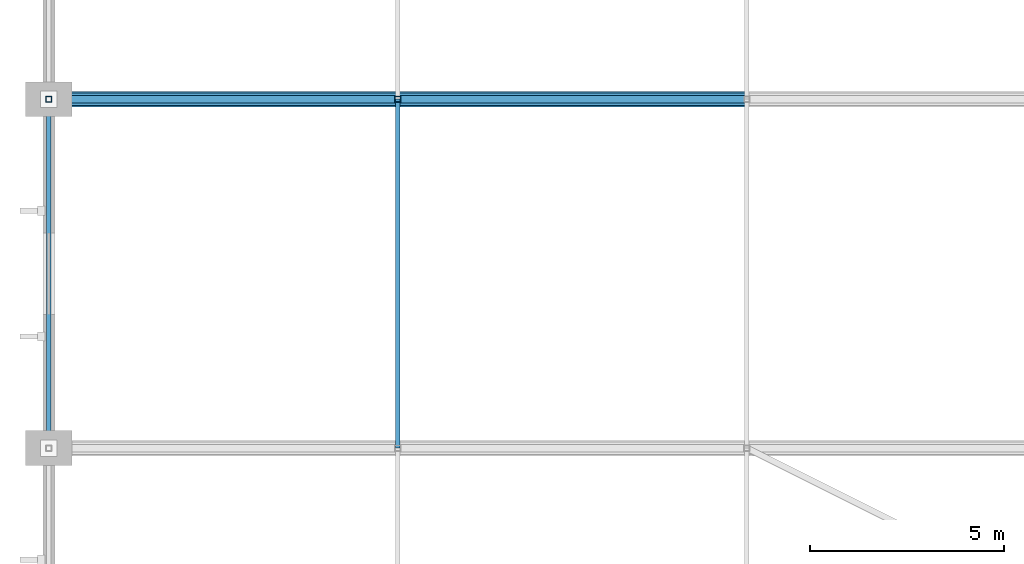
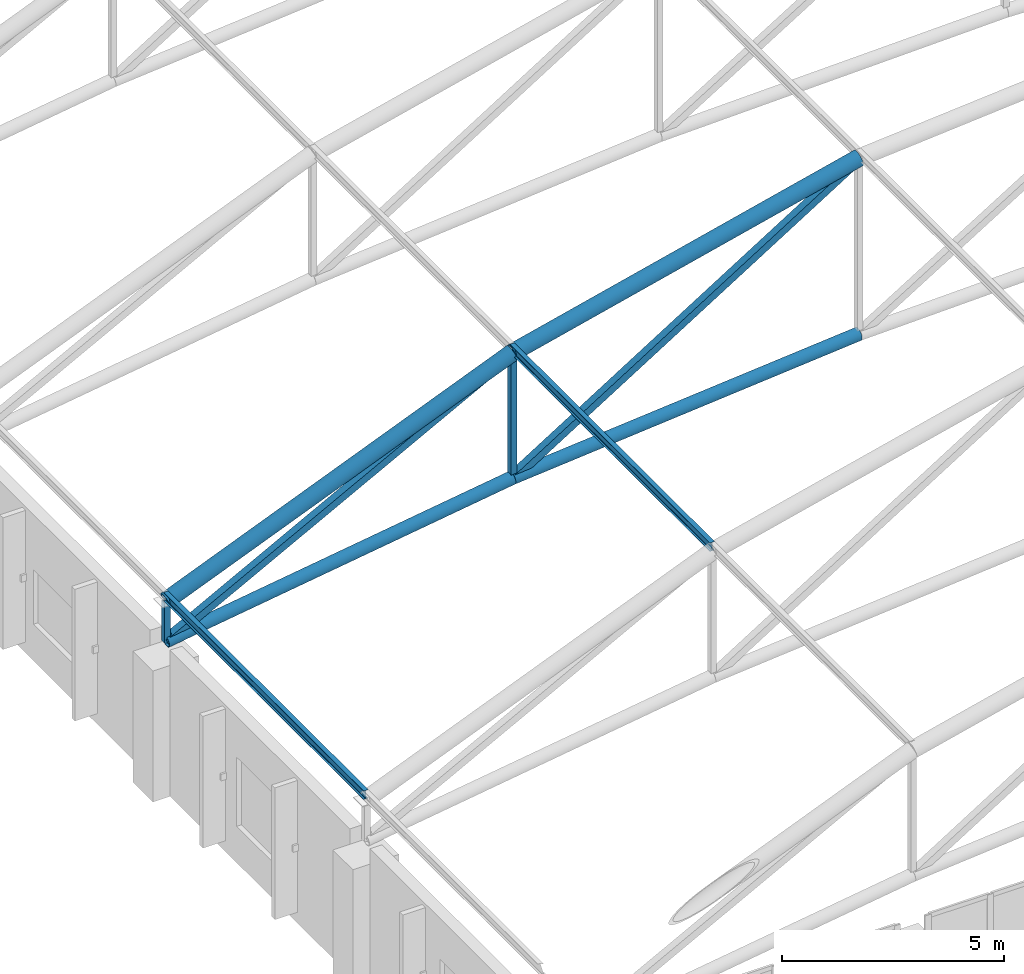
# One storey, part 10 of 167: 10 members.
"""IFC4 building model written with IfcOpenShell, lengths in metres."""

import ifcopenshell
import ifcopenshell.guid

model = None  # the IFC model being written
_history = None  # IfcOwnerHistory: only IFC2X3 demands one
_inside = {}  # id of a spatial element -> (the spatial element, [elements in it])
_under = {}  # id of a project, library or spatial element -> (it, [spatial elements below it])
_declared = {}  # id of a project -> (the project, [libraries it declares])
_typed = {}  # id of a type object -> (the type object, [elements of that type])
_made_of = {}  # id of a material, layer set ... -> (it, [elements and type objects made of it])


def new_model(schema):
    """Start an empty IFC model of exactly this schema.

    Asked for "IFC4X3", IfcOpenShell would pick the latest addendum, in which some entities
    have other attributes; the version numbers below select the first issue.
    IFC2X3 requires an IfcOwnerHistory on every rooted entity: one is made here for all.
    """
    global model, _history
    if schema == "IFC4X3":
        model = ifcopenshell.file(schema_version=(4, 3, 0, 0))
    else:
        model = ifcopenshell.file(schema=schema)
    _inside.clear()
    _under.clear()
    _declared.clear()
    _typed.clear()
    _made_of.clear()
    _history = None
    if model.schema == "IFC2X3":
        org = make("IfcOrganization", Name="unknown")
        user = make(
            "IfcPersonAndOrganization",
            ThePerson=make("IfcPerson", FamilyName="unknown"),
            TheOrganization=org,
        )
        app = make(
            "IfcApplication",
            ApplicationDeveloper=org,
            Version="unknown",
            ApplicationFullName="unknown",
            ApplicationIdentifier="unknown",
        )
        _history = make(
            "IfcOwnerHistory",
            OwningUser=user,
            OwningApplication=app,
            ChangeAction="ADDED",
            CreationDate=0,
        )
    return model


def make(cls, **values):
    """One entity of the class cls with the attributes given. An attribute that is None is left unset."""
    return model.create_entity(
        cls, **{name: value for name, value in values.items() if value is not None}
    )


def rooted(cls, **values):
    """An entity with a GlobalId (a new one), such as an element, a storey or a relation."""
    return make(cls, GlobalId=ifcopenshell.guid.new(), OwnerHistory=_history, **values)


def si_unit(unit_type, name, prefix=None):
    """IfcSIUnit, for example si_unit("LENGTHUNIT", "METRE", prefix="MILLI")."""
    return make("IfcSIUnit", UnitType=unit_type, Prefix=prefix, Name=name)


def assignment(units):
    """IfcUnitAssignment: the units of a project."""
    return None if units is None else make("IfcUnitAssignment", Units=units)


def point(xyz):
    """IfcCartesianPoint."""
    return None if xyz is None else make("IfcCartesianPoint", Coordinates=xyz)


def direction(xyz):
    """IfcDirection."""
    return None if xyz is None else make("IfcDirection", DirectionRatios=xyz)


def frame(location, z_axis=None, x_axis=None):
    """IfcAxis2Placement3D, a coordinate frame: its origin and axes. An axis left out is left unset."""
    return make(
        "IfcAxis2Placement3D",
        Location=point(location),
        Axis=direction(z_axis),
        RefDirection=direction(x_axis),
    )


def frame_2d(location, x_axis=None):
    """IfcAxis2Placement2D, a coordinate frame in the plane: its origin and x axis."""
    return make(
        "IfcAxis2Placement2D", Location=point(location), RefDirection=direction(x_axis)
    )


def origin():
    """The frame at (0, 0, 0) with its axes left unset."""
    return frame((0.0, 0.0, 0.0))


def origin_2d():
    """The frame at (0, 0) in the plane with its x axis left unset."""
    return frame_2d((0.0, 0.0))


def place(relative_to, where):
    """IfcLocalPlacement: puts the frame where relative to a parent placement (None: the world)."""
    return make(
        "IfcLocalPlacement", PlacementRelTo=relative_to, RelativePlacement=where
    )


def context(
    kind, dimensions, precision=None, world=None, true_north=None, identifier=None
):
    """IfcGeometricRepresentationContext, for example the 3D "Model" context."""
    return make(
        "IfcGeometricRepresentationContext",
        ContextIdentifier=identifier,
        ContextType=kind,
        CoordinateSpaceDimension=dimensions,
        Precision=precision,
        WorldCoordinateSystem=world,
        TrueNorth=true_north,
    )


def subcontext(parent, identifier, kind, view, scale=None):
    """IfcGeometricRepresentationSubContext, for example "Body" below "Model"."""
    return make(
        "IfcGeometricRepresentationSubContext",
        ContextIdentifier=identifier,
        ContextType=kind,
        ParentContext=parent,
        TargetScale=scale,
        TargetView=view,
    )


def project(units=None, contexts=None):
    """IfcProject with its units and contexts."""
    return rooted(
        "IfcProject",
        Name="project",
        RepresentationContexts=contexts,
        UnitsInContext=assignment(units),
    )


def spatial(cls, under=None, at=None, **own):
    """A site, building, storey or space (cls), placed at a placement, below another one or the project."""
    s = rooted(cls, ObjectPlacement=at, **own)
    if under is not None:
        _under.setdefault(under.id(), (under, []))[1].append(s)
    return s


def profile(cls, at=None, kind="AREA", **sizes):
    """A parametric profile (cls). Its sizes go by their IFC names, for example OverallWidth=200.0."""
    return make(cls, ProfileType=kind, Position=at, **sizes)


def hollow_rectangle(**sizes):
    """IfcRectangleHollowProfileDef."""
    return profile("IfcRectangleHollowProfileDef", **sizes)


def hollow_circle(**sizes):
    """IfcCircleHollowProfileDef."""
    return profile("IfcCircleHollowProfileDef", **sizes)


def i_section(**sizes):
    """IfcIShapeProfileDef."""
    return profile("IfcIShapeProfileDef", **sizes)


def extrude(swept, where, along, depth):
    """IfcExtrudedAreaSolid: the profile swept, set in the frame where, extruded along a direction by depth."""
    return make(
        "IfcExtrudedAreaSolid",
        SweptArea=swept,
        Position=where,
        ExtrudedDirection=direction(along),
        Depth=depth,
    )


def shape(context_of_items, identifier, shape_type, items):
    """IfcShapeRepresentation: the items that make up one representation, for example the "Body"."""
    return make(
        "IfcShapeRepresentation",
        ContextOfItems=context_of_items,
        RepresentationIdentifier=identifier,
        RepresentationType=shape_type,
        Items=items,
    )


def material(Name=None, Category=None):
    """IfcMaterial."""
    return make("IfcMaterial", Name=Name, Category=Category)


def material_profile(
    of_material, cross_section, Name=None, Category=None, Priority=None
):
    """IfcMaterialProfile: a cross section and its material."""
    return make(
        "IfcMaterialProfile",
        Name=Name,
        Material=of_material,
        Profile=cross_section,
        Priority=Priority,
        Category=Category,
    )


def profile_set(profiles, Name=None, composite=None):
    """IfcMaterialProfileSet."""
    return make(
        "IfcMaterialProfileSet",
        Name=Name,
        MaterialProfiles=profiles,
        CompositeProfile=composite,
    )


def made_of(thing, what):
    """Note that an element or type object is made of a material, layer set ...; save() writes the relation."""
    if what is not None:
        _made_of.setdefault(what.id(), (what, []))[1].append(thing)
    return thing


def type_object(cls, material=None, **own):
    """A type object (cls), such as IfcWallType, which elements share."""
    return made_of(rooted(cls, **own), material)


def element(
    cls,
    number,
    at=None,
    inside=None,
    cuts=None,
    type_object=None,
    material=None,
    context=None,
    identifier="Body",
    shape_type=None,
    held_by="IfcProductDefinitionShape",
    body=None,
    shapes=None,
    **own,
):
    """One element of the class cls, such as IfcWall. Its Tag is "e" and its number.

    at: its placement. inside: the storey or other place that contains it. cuts: it is an
    opening in that element (IfcRelVoidsElement). A single representation is given by context,
    identifier, shape_type and body (its items); several are given by shapes. held_by: the class
    of the entity that holds the representations. save() writes the other relations.
    """
    e = rooted(cls, Tag="e%d" % number, ObjectPlacement=at, **own)
    if body is not None:
        shapes = [shape(context, identifier, shape_type, body)]
    if shapes is not None:
        e.Representation = make(held_by, Representations=shapes)
    if inside is not None:
        _inside.setdefault(inside.id(), (inside, []))[1].append(e)
    if cuts is not None:
        rooted(
            "IfcRelVoidsElement", RelatingBuildingElement=cuts, RelatedOpeningElement=e
        )
    if type_object is not None:
        _typed.setdefault(type_object.id(), (type_object, []))[1].append(e)
    return made_of(e, material)


def aggregate(whole, parts):
    """IfcRelAggregates: a whole, such as a stair, and the parts it consists of."""
    return rooted("IfcRelAggregates", RelatingObject=whole, RelatedObjects=parts)


def save(model, path):
    """Write the relations noted so far, then the file.

    IfcRelAggregates (storeys below a building ...), IfcRelContainedInSpatialStructure (elements
    in a storey), IfcRelDefinesByType, IfcRelAssociatesMaterial and IfcRelDeclares: one each for
    every whole, place, type object, material and project.
    """
    for whole, parts in _under.values():
        aggregate(whole, parts)
    for where, things in _inside.values():
        rooted(
            "IfcRelContainedInSpatialStructure",
            RelatedElements=things,
            RelatingStructure=where,
        )
    for kind, things in _typed.values():
        rooted("IfcRelDefinesByType", RelatedObjects=things, RelatingType=kind)
    for what, things in _made_of.values():
        rooted("IfcRelAssociatesMaterial", RelatedObjects=things, RelatingMaterial=what)
    for by, libraries in _declared.values():
        rooted("IfcRelDeclares", RelatingContext=by, RelatedDefinitions=libraries)
    model.write(path)


model = new_model("IFC4")

# Units and contexts
model_context = context("Model", 3, precision=1e-05, world=origin(), true_north=direction((0.0, 1.0)))
body_context = subcontext(model_context, "Body", "Model", "MODEL_VIEW")
ifc_project = project(units=[si_unit("LENGTHUNIT", "METRE"), si_unit("AREAUNIT", "SQUARE_METRE"), si_unit("VOLUMEUNIT", "CUBIC_METRE"), si_unit("PLANEANGLEUNIT", "RADIAN"), si_unit("MASSUNIT", "GRAM", prefix="KILO")], contexts=[model_context])

# Site, building, storey
site_placement = place(None, origin())
site = spatial("IfcSite", under=ifc_project, at=site_placement, CompositionType="ELEMENT")
building_placement = place(site_placement, origin())
building = spatial("IfcBuilding", under=site, at=building_placement, Name="Dornveld Trade and Exhibition Forum", CompositionType="ELEMENT")
storey_placement = place(building_placement, frame((0.0, 0.0, 16.800048828125)))
storey = spatial("IfcBuildingStorey", under=building, at=storey_placement, Name="L03", CompositionType="ELEMENT", Elevation=16.800048828125)

# Members
ifc_material_1 = material(Name="Steel S355J2", Category="steel")
ifc_material_profile_1 = material_profile(ifc_material_1, hollow_circle(Radius=0.161865234375, WallThickness=0.01611328125, at=origin_2d()), Name="CHS 323.9x16")
ifc_profile_set_1 = profile_set([ifc_material_profile_1], Name="Steel S355J2")
member_type_1 = type_object("IfcMemberType", Name="MEM-ARCH-BC", PredefinedType="CHORD", material=ifc_profile_set_1)
member_1_placement = place(storey_placement, frame((27.0, 54.0, 3.949951171875), z_axis=(0.989204758987, 0.0, 0.146539908551), x_axis=(0.0, 1.0, 0.0)))
element("IfcMember", 1, at=member_1_placement, inside=storey, type_object=member_type_1, Name="H3 truss 3 tie chord 1", PredefinedType="CHORD", context=body_context, shape_type="SweptSolid", body=[
    extrude(hollow_circle(Radius=0.161865234375, WallThickness=0.01611328125, at=origin_2d()), origin(), (0.0, 0.0, 1.0), 9.09814453125),
])
member_2_placement = place(storey_placement, frame((36.0, 54.0, 5.283203125), z_axis=(0.996072164085, 0.0, 0.088545151956), x_axis=(0.0, 1.0, 0.0)))
element("IfcMember", 2, at=member_2_placement, inside=storey, type_object=member_type_1, Name="H3 truss 3 tie chord 2", PredefinedType="CHORD", context=body_context, shape_type="SweptSolid", body=[
    extrude(hollow_circle(Radius=0.161865234375, WallThickness=0.01611328125, at=origin_2d()), origin(), (0.0, 0.0, 1.0), 9.035400390625),
])
ifc_material_2 = material(Name="Steel S355J2", Category="steel")
ifc_material_profile_2 = material_profile(ifc_material_2, hollow_rectangle(XDim=0.14990234375, YDim=0.14990234375, WallThickness=0.008056640625, at=origin_2d()), Name="SHS 150x150x8")
ifc_profile_set_2 = profile_set([ifc_material_profile_2], Name="Steel S355J2")
member_type_2 = type_object("IfcMemberType", Name="MEM-ARCH-STR", PredefinedType="STRUT", material=ifc_profile_set_2)
member_3_placement = place(storey_placement, frame((27.0, 54.0, 3.949951171875), z_axis=(0.0, 0.0, 1.0), x_axis=(1.0, 0.0, 0.0)))
element("IfcMember", 3, at=member_3_placement, inside=storey, type_object=member_type_2, Name="H3 truss 3 strut 1", PredefinedType="STRUT", context=body_context, shape_type="SweptSolid", body=[
    extrude(hollow_rectangle(XDim=0.14990234375, YDim=0.14990234375, WallThickness=0.008056640625, at=origin_2d()), origin(), (0.0, 0.0, 1.0), 1.10009765625),
])
member_4_placement = place(storey_placement, frame((36.0, 54.0, 5.283203125), z_axis=(0.0, 0.0, 1.0), x_axis=(1.0, 0.0, 0.0)))
element("IfcMember", 4, at=member_4_placement, inside=storey, type_object=member_type_2, Name="H3 truss 3 strut 2", PredefinedType="STRUT", context=body_context, shape_type="SweptSolid", body=[
    extrude(hollow_rectangle(XDim=0.14990234375, YDim=0.14990234375, WallThickness=0.008056640625, at=origin_2d()), origin(), (0.0, 0.0, 1.0), 3.433349609375),
])
ifc_material_3 = material(Name="Steel S355J2", Category="steel")
ifc_material_profile_3 = material_profile(ifc_material_3, hollow_circle(Radius=0.203125, WallThickness=0.02001953125, at=origin_2d()), Name="CHS 406.4x20")
ifc_profile_set_3 = profile_set([ifc_material_profile_3], Name="Steel S355J2")
member_type_3 = type_object("IfcMemberType", Name="MEM-ARCH-TC", PredefinedType="CHORD", material=ifc_profile_set_3)
member_5_placement = place(storey_placement, frame((27.0, 54.0, 5.050048828125), z_axis=(0.926098211611, 0.0, 0.377282523383), x_axis=(0.0, 1.0, 0.0)))
element("IfcMember", 5, at=member_5_placement, inside=storey, type_object=member_type_3, Name="H3 truss 3 top chord 1", PredefinedType="CHORD", context=body_context, shape_type="SweptSolid", body=[
    extrude(hollow_circle(Radius=0.203125, WallThickness=0.02001953125, at=origin_2d()), origin(), (0.0, 0.0, 1.0), 9.71826171875),
])
member_6_placement = place(storey_placement, frame((36.0, 54.0, 8.716552734375), z_axis=(0.971394143806, 0.0, 0.237472982421), x_axis=(0.0, 1.0, 0.0)))
element("IfcMember", 6, at=member_6_placement, inside=storey, type_object=member_type_3, Name="H3 truss 3 top chord 2", PredefinedType="CHORD", context=body_context, shape_type="SweptSolid", body=[
    extrude(hollow_circle(Radius=0.203125, WallThickness=0.02001953125, at=origin_2d()), origin(), (0.0, 0.0, 1.0), 9.26513671875),
])
ifc_material_4 = material(Name="Steel S355J2", Category="steel")
ifc_material_profile_4 = material_profile(ifc_material_4, hollow_rectangle(XDim=0.199951171875, YDim=0.199951171875, WallThickness=0.010009765625, at=origin_2d()), Name="SHS 200x200x10")
ifc_profile_set_4 = profile_set([ifc_material_profile_4], Name="Steel S355J2")
member_type_4 = type_object("IfcMemberType", Name="MEM-ARCH-WEB", PredefinedType="BRACE", material=ifc_profile_set_4)
member_7_placement = place(storey_placement, frame((27.0, 54.0, 3.949951171875), z_axis=(0.883710934211, 0.0, 0.468033102201), x_axis=(0.0, 1.0, 0.0)))
element("IfcMember", 7, at=member_7_placement, inside=storey, type_object=member_type_4, Name="H3 truss 3 web 1", PredefinedType="BRACE", context=body_context, shape_type="SweptSolid", body=[
    extrude(hollow_rectangle(XDim=0.199951171875, YDim=0.199951171875, WallThickness=0.010009765625, at=origin_2d()), origin(), (0.0, 0.0, 1.0), 10.184326171875),
])
member_8_placement = place(storey_placement, frame((36.0, 54.0, 5.283203125), z_axis=(0.84763640931, 0.0, 0.53057753214), x_axis=(0.0, 1.0, 0.0)))
element("IfcMember", 8, at=member_8_placement, inside=storey, type_object=member_type_4, Name="H3 truss 3 web 2", PredefinedType="BRACE", context=body_context, shape_type="SweptSolid", body=[
    extrude(hollow_rectangle(XDim=0.199951171875, YDim=0.199951171875, WallThickness=0.010009765625, at=origin_2d()), origin(), (0.0, 0.0, 1.0), 10.61767578125),
])
ifc_material_5 = material(Name="Steel S355J2", Category="steel")
ifc_material_profile_5 = material_profile(ifc_material_5, i_section(OverallWidth=0.1201171875, OverallDepth=0.239990234375, WebThickness=0.006103515625, FlangeThickness=0.009765625, FilletRadius=0.014892578125, at=origin_2d()), Name="IPE 240")
ifc_profile_set_5 = profile_set([ifc_material_profile_5], Name="Steel S355J2")
member_type_5 = type_object("IfcMemberType", Name="MEM-PURLIN-240", PredefinedType="PURLIN", material=ifc_profile_set_5)
for number, where, z_axis, x_axis, name in (
    (9, (27.0, 45.0, 5.181884765625), (0.0, 1.0, 0.0), (-1.0, 0.0, 0.0), "H3 bay 2 roof purlin 1"),
    (10, (36.0, 45.0, 8.8486328125), (0.0, 1.0, 0.0), (-1.0, 0.0, 0.0), "H3 bay 2 roof purlin 2"),
):
    element("IfcMember", number, at=place(storey_placement, frame(where, z_axis=z_axis, x_axis=x_axis)), inside=storey, type_object=member_type_5, Name=name, PredefinedType="PURLIN", context=body_context, shape_type="SweptSolid", body=[
        extrude(i_section(OverallWidth=0.1201171875, OverallDepth=0.239990234375, WebThickness=0.006103515625, FlangeThickness=0.009765625, FilletRadius=0.014892578125, at=origin_2d()), origin(), (0.0, 0.0, 1.0), 9.0),
    ])

save(model, "model.ifc")
